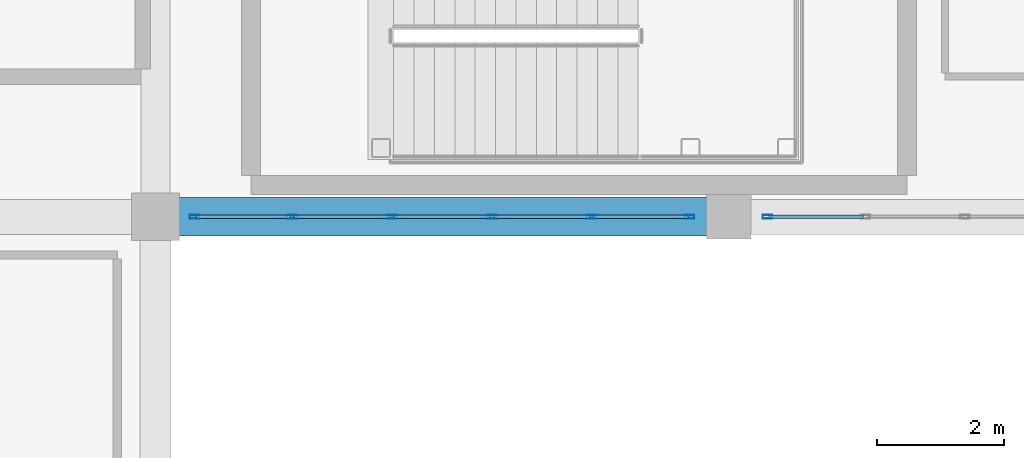
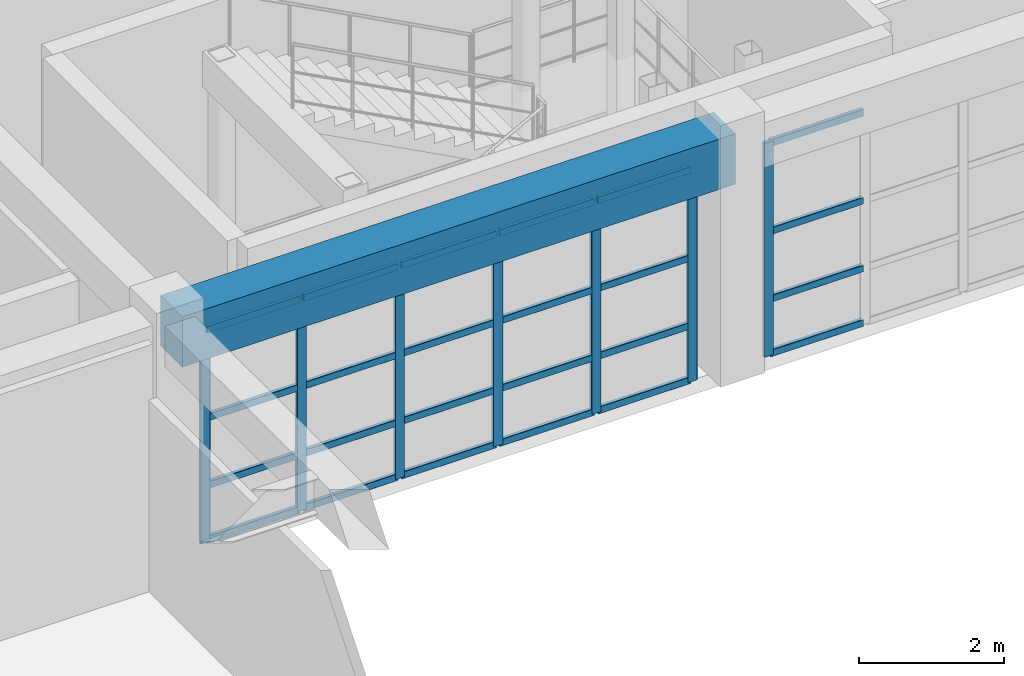
# One storey, part 75 of 133: 31 members, 1 beam, 2 elements without a shape of their own.
"""IFC4 building model written with IfcOpenShell, lengths in metres."""

from ifc_helpers import new_model, si_unit, direction, frame, origin, origin_2d, place, context, subcontext, project, spatial, rectangle, hollow_rectangle, extrude, material, material_profile, profile_set, type_object, element, aggregate, save


model = new_model("IFC4")

# Units and contexts
model_context = context("Model", 3, precision=1e-05, world=origin(), true_north=direction((0.0, 1.0)))
body_context = subcontext(model_context, "Body", "Model", "MODEL_VIEW")
ifc_project = project(units=[si_unit("LENGTHUNIT", "METRE"), si_unit("AREAUNIT", "SQUARE_METRE"), si_unit("VOLUMEUNIT", "CUBIC_METRE"), si_unit("PLANEANGLEUNIT", "RADIAN"), si_unit("MASSUNIT", "GRAM", prefix="KILO")], contexts=[model_context])

# Site, building, storey
site_placement = place(None, origin())
site = spatial("IfcSite", under=ifc_project, at=site_placement, CompositionType="ELEMENT")
building_placement = place(site_placement, origin())
building = spatial("IfcBuilding", under=site, at=building_placement, Name="Miravela Opera House", CompositionType="ELEMENT")
storey_placement = place(building_placement, frame((0.0, 0.0, 5.10009765625)))
storey = spatial("IfcBuildingStorey", under=building, at=storey_placement, Name="L01", CompositionType="ELEMENT", Elevation=5.10009765625)

# Curtain wall, members
ifc_material_1 = material(Name="Anodised architectural bronze aluminium 6063-T6", Category="aluminium")
curtain_wall_type = type_object("IfcCurtainWallType", Name="ARC-CW-05", PredefinedType="NOTDEFINED", material=ifc_material_1)
curtain_wall_1_placement = place(storey_placement, origin())
curtain_wall_1 = element("IfcCurtainWall", 1, at=curtain_wall_1_placement, inside=storey, type_object=curtain_wall_type, Name="Courtyard Arcade Curtain Wall CW-L01-169", PredefinedType="NOTDEFINED")
ifc_material_profile_1 = material_profile(ifc_material_1, hollow_rectangle(XDim=0.06005859375, YDim=0.14990234375, WallThickness=0.00390625, InnerFilletRadius=0.001953125, OuterFilletRadius=0.00390625, at=origin_2d()), Name="CWM-60X150")
ifc_profile_set_1 = profile_set([ifc_material_profile_1])
member_type_1 = type_object("IfcMemberType", Name="ARC-CWM-150", PredefinedType="MULLION", material=ifc_profile_set_1)
member_1_placement = place(storey_placement, frame((117.610107421875, 103.0, 0.0), z_axis=(0.0, 0.0, 1.0), x_axis=(0.0, 1.0, 0.0)))
member_1 = element("IfcMember", 2, at=member_1_placement, type_object=member_type_1, Name="CW-05 mullion 1", PredefinedType="MULLION", context=body_context, shape_type="SweptSolid", body=[
    extrude(hollow_rectangle(XDim=0.06005859375, YDim=0.14990234375, WallThickness=0.00390625, InnerFilletRadius=0.001953125, OuterFilletRadius=0.00390625, at=origin_2d()), origin(), (0.0, 0.0, 1.0), 3.60986328125),
])
member_2_placement = place(storey_placement, frame((119.14794921875, 103.0, 0.0), z_axis=(0.0, 0.0, 1.0), x_axis=(0.0, 1.0, 0.0)))
member_2 = element("IfcMember", 3, at=member_2_placement, type_object=member_type_1, Name="CW-05 mullion 2", PredefinedType="MULLION", context=body_context, shape_type="SweptSolid", body=[
    extrude(hollow_rectangle(XDim=0.06005859375, YDim=0.14990234375, WallThickness=0.00390625, InnerFilletRadius=0.001953125, OuterFilletRadius=0.00390625, at=origin_2d()), origin(), (0.0, 0.0, 1.0), 3.60986328125),
])
member_3_placement = place(storey_placement, frame((120.716064453125, 103.0, 0.0), z_axis=(0.0, 0.0, 1.0), x_axis=(0.0, 1.0, 0.0)))
member_3 = element("IfcMember", 4, at=member_3_placement, type_object=member_type_1, Name="CW-05 mullion 3", PredefinedType="MULLION", context=body_context, shape_type="SweptSolid", body=[
    extrude(hollow_rectangle(XDim=0.06005859375, YDim=0.14990234375, WallThickness=0.00390625, InnerFilletRadius=0.001953125, OuterFilletRadius=0.00390625, at=origin_2d()), origin(), (0.0, 0.0, 1.0), 3.60986328125),
])
member_4_placement = place(storey_placement, frame((122.283935546875, 103.0, 0.0), z_axis=(0.0, 0.0, 1.0), x_axis=(0.0, 1.0, 0.0)))
member_4 = element("IfcMember", 5, at=member_4_placement, type_object=member_type_1, Name="CW-05 mullion 4", PredefinedType="MULLION", context=body_context, shape_type="SweptSolid", body=[
    extrude(hollow_rectangle(XDim=0.06005859375, YDim=0.14990234375, WallThickness=0.00390625, InnerFilletRadius=0.001953125, OuterFilletRadius=0.00390625, at=origin_2d()), origin(), (0.0, 0.0, 1.0), 3.60986328125),
])
member_5_placement = place(storey_placement, frame((123.85205078125, 103.0, 0.0), z_axis=(0.0, 0.0, 1.0), x_axis=(0.0, 1.0, 0.0)))
member_5 = element("IfcMember", 6, at=member_5_placement, type_object=member_type_1, Name="CW-05 mullion 5", PredefinedType="MULLION", context=body_context, shape_type="SweptSolid", body=[
    extrude(hollow_rectangle(XDim=0.06005859375, YDim=0.14990234375, WallThickness=0.00390625, InnerFilletRadius=0.001953125, OuterFilletRadius=0.00390625, at=origin_2d()), origin(), (0.0, 0.0, 1.0), 3.60986328125),
])
member_6_placement = place(storey_placement, frame((125.389892578125, 103.0, 0.0), z_axis=(0.0, 0.0, 1.0), x_axis=(0.0, 1.0, 0.0)))
member_6 = element("IfcMember", 7, at=member_6_placement, type_object=member_type_1, Name="CW-05 mullion 6", PredefinedType="MULLION", context=body_context, shape_type="SweptSolid", body=[
    extrude(hollow_rectangle(XDim=0.06005859375, YDim=0.14990234375, WallThickness=0.00390625, InnerFilletRadius=0.001953125, OuterFilletRadius=0.00390625, at=origin_2d()), origin(), (0.0, 0.0, 1.0), 3.60986328125),
])

# Curtain wall, member
curtain_wall_2_placement = place(storey_placement, origin())
curtain_wall_2 = element("IfcCurtainWall", 8, at=curtain_wall_2_placement, inside=storey, type_object=curtain_wall_type, Name="Courtyard Arcade Curtain Wall CW-L01-173", PredefinedType="NOTDEFINED")
member_7_placement = place(storey_placement, frame((126.610107421875, 103.0, 0.0), z_axis=(0.0, 0.0, 1.0), x_axis=(0.0, 1.0, 0.0)))
member_7 = element("IfcMember", 9, at=member_7_placement, type_object=member_type_1, Name="CW-05 mullion 1", PredefinedType="MULLION", context=body_context, shape_type="SweptSolid", body=[
    extrude(hollow_rectangle(XDim=0.06005859375, YDim=0.14990234375, WallThickness=0.00390625, InnerFilletRadius=0.001953125, OuterFilletRadius=0.00390625, at=origin_2d()), origin(), (0.0, 0.0, 1.0), 3.60986328125),
])

# Member
ifc_material_profile_2 = material_profile(ifc_material_1, hollow_rectangle(XDim=0.06005859375, YDim=0.114990234375, WallThickness=0.00390625, InnerFilletRadius=0.001953125, OuterFilletRadius=0.00390625, at=origin_2d()), Name="CWT-60X115")
ifc_profile_set_2 = profile_set([ifc_material_profile_2])
member_type_2 = type_object("IfcMemberType", Name="ARC-CWT-115", PredefinedType="USERDEFINED", material=ifc_profile_set_2)
member_8_placement = place(storey_placement, frame((117.639892578125, 103.0, 0.02978515625), z_axis=(1.0, 0.0, 0.0), x_axis=(0.0, 1.0, 0.0)))
member_8 = element("IfcMember", 10, at=member_8_placement, type_object=member_type_2, Name="CW-05 transom 1.1", ObjectType="TRANSOM", PredefinedType="USERDEFINED", context=body_context, shape_type="SweptSolid", body=[
    extrude(hollow_rectangle(XDim=0.06005859375, YDim=0.114990234375, WallThickness=0.00390625, InnerFilletRadius=0.001953125, OuterFilletRadius=0.00390625, at=origin_2d()), origin(), (0.0, 0.0, 1.0), 1.47802734375),
])

member_9_placement = place(storey_placement, frame((117.639892578125, 103.0, 0.949951171875), z_axis=(1.0, 0.0, 0.0), x_axis=(0.0, 1.0, 0.0)))
member_9 = element("IfcMember", 11, at=member_9_placement, type_object=member_type_2, Name="CW-05 transom 1.2", ObjectType="TRANSOM", PredefinedType="USERDEFINED", context=body_context, shape_type="SweptSolid", body=[
    extrude(hollow_rectangle(XDim=0.06005859375, YDim=0.114990234375, WallThickness=0.00390625, InnerFilletRadius=0.001953125, OuterFilletRadius=0.00390625, at=origin_2d()), origin(), (0.0, 0.0, 1.0), 1.47802734375),
])

member_10_placement = place(storey_placement, frame((117.639892578125, 103.0, 2.09375), z_axis=(1.0, 0.0, 0.0), x_axis=(0.0, 1.0, 0.0)))
member_10 = element("IfcMember", 12, at=member_10_placement, type_object=member_type_2, Name="CW-05 transom 1.3", ObjectType="TRANSOM", PredefinedType="USERDEFINED", context=body_context, shape_type="SweptSolid", body=[
    extrude(hollow_rectangle(XDim=0.06005859375, YDim=0.114990234375, WallThickness=0.00390625, InnerFilletRadius=0.001953125, OuterFilletRadius=0.00390625, at=origin_2d()), origin(), (0.0, 0.0, 1.0), 1.47802734375),
])

member_11_placement = place(storey_placement, frame((117.639892578125, 103.0, 3.579833984375), z_axis=(1.0, 0.0, 0.0), x_axis=(0.0, 1.0, 0.0)))
member_11 = element("IfcMember", 13, at=member_11_placement, type_object=member_type_2, Name="CW-05 transom 1.4", ObjectType="TRANSOM", PredefinedType="USERDEFINED", context=body_context, shape_type="SweptSolid", body=[
    extrude(hollow_rectangle(XDim=0.06005859375, YDim=0.114990234375, WallThickness=0.00390625, InnerFilletRadius=0.001953125, OuterFilletRadius=0.00390625, at=origin_2d()), origin(), (0.0, 0.0, 1.0), 1.47802734375),
])

member_12_placement = place(storey_placement, frame((119.177978515625, 103.0, 0.02978515625), z_axis=(1.0, 0.0, 0.0), x_axis=(0.0, 1.0, 0.0)))
member_12 = element("IfcMember", 14, at=member_12_placement, type_object=member_type_2, Name="CW-05 transom 2.1", ObjectType="TRANSOM", PredefinedType="USERDEFINED", context=body_context, shape_type="SweptSolid", body=[
    extrude(hollow_rectangle(XDim=0.06005859375, YDim=0.114990234375, WallThickness=0.00390625, InnerFilletRadius=0.001953125, OuterFilletRadius=0.00390625, at=origin_2d()), origin(), (0.0, 0.0, 1.0), 1.508056640625),
])

member_13_placement = place(storey_placement, frame((119.177978515625, 103.0, 0.949951171875), z_axis=(1.0, 0.0, 0.0), x_axis=(0.0, 1.0, 0.0)))
member_13 = element("IfcMember", 15, at=member_13_placement, type_object=member_type_2, Name="CW-05 transom 2.2", ObjectType="TRANSOM", PredefinedType="USERDEFINED", context=body_context, shape_type="SweptSolid", body=[
    extrude(hollow_rectangle(XDim=0.06005859375, YDim=0.114990234375, WallThickness=0.00390625, InnerFilletRadius=0.001953125, OuterFilletRadius=0.00390625, at=origin_2d()), origin(), (0.0, 0.0, 1.0), 1.508056640625),
])

member_14_placement = place(storey_placement, frame((119.177978515625, 103.0, 2.09375), z_axis=(1.0, 0.0, 0.0), x_axis=(0.0, 1.0, 0.0)))
member_14 = element("IfcMember", 16, at=member_14_placement, type_object=member_type_2, Name="CW-05 transom 2.3", ObjectType="TRANSOM", PredefinedType="USERDEFINED", context=body_context, shape_type="SweptSolid", body=[
    extrude(hollow_rectangle(XDim=0.06005859375, YDim=0.114990234375, WallThickness=0.00390625, InnerFilletRadius=0.001953125, OuterFilletRadius=0.00390625, at=origin_2d()), origin(), (0.0, 0.0, 1.0), 1.508056640625),
])

member_15_placement = place(storey_placement, frame((119.177978515625, 103.0, 3.579833984375), z_axis=(1.0, 0.0, 0.0), x_axis=(0.0, 1.0, 0.0)))
member_15 = element("IfcMember", 17, at=member_15_placement, type_object=member_type_2, Name="CW-05 transom 2.4", ObjectType="TRANSOM", PredefinedType="USERDEFINED", context=body_context, shape_type="SweptSolid", body=[
    extrude(hollow_rectangle(XDim=0.06005859375, YDim=0.114990234375, WallThickness=0.00390625, InnerFilletRadius=0.001953125, OuterFilletRadius=0.00390625, at=origin_2d()), origin(), (0.0, 0.0, 1.0), 1.508056640625),
])

member_16_placement = place(storey_placement, frame((120.74609375, 103.0, 0.02978515625), z_axis=(1.0, 0.0, 0.0), x_axis=(0.0, 1.0, 0.0)))
member_16 = element("IfcMember", 18, at=member_16_placement, type_object=member_type_2, Name="CW-05 transom 3.1", ObjectType="TRANSOM", PredefinedType="USERDEFINED", context=body_context, shape_type="SweptSolid", body=[
    extrude(hollow_rectangle(XDim=0.06005859375, YDim=0.114990234375, WallThickness=0.00390625, InnerFilletRadius=0.001953125, OuterFilletRadius=0.00390625, at=origin_2d()), origin(), (0.0, 0.0, 1.0), 1.5078125),
])

member_17_placement = place(storey_placement, frame((120.74609375, 103.0, 0.949951171875), z_axis=(1.0, 0.0, 0.0), x_axis=(0.0, 1.0, 0.0)))
member_17 = element("IfcMember", 19, at=member_17_placement, type_object=member_type_2, Name="CW-05 transom 3.2", ObjectType="TRANSOM", PredefinedType="USERDEFINED", context=body_context, shape_type="SweptSolid", body=[
    extrude(hollow_rectangle(XDim=0.06005859375, YDim=0.114990234375, WallThickness=0.00390625, InnerFilletRadius=0.001953125, OuterFilletRadius=0.00390625, at=origin_2d()), origin(), (0.0, 0.0, 1.0), 1.5078125),
])

member_18_placement = place(storey_placement, frame((120.74609375, 103.0, 2.09375), z_axis=(1.0, 0.0, 0.0), x_axis=(0.0, 1.0, 0.0)))
member_18 = element("IfcMember", 20, at=member_18_placement, type_object=member_type_2, Name="CW-05 transom 3.3", ObjectType="TRANSOM", PredefinedType="USERDEFINED", context=body_context, shape_type="SweptSolid", body=[
    extrude(hollow_rectangle(XDim=0.06005859375, YDim=0.114990234375, WallThickness=0.00390625, InnerFilletRadius=0.001953125, OuterFilletRadius=0.00390625, at=origin_2d()), origin(), (0.0, 0.0, 1.0), 1.5078125),
])

member_19_placement = place(storey_placement, frame((120.74609375, 103.0, 3.579833984375), z_axis=(1.0, 0.0, 0.0), x_axis=(0.0, 1.0, 0.0)))
member_19 = element("IfcMember", 21, at=member_19_placement, type_object=member_type_2, Name="CW-05 transom 3.4", ObjectType="TRANSOM", PredefinedType="USERDEFINED", context=body_context, shape_type="SweptSolid", body=[
    extrude(hollow_rectangle(XDim=0.06005859375, YDim=0.114990234375, WallThickness=0.00390625, InnerFilletRadius=0.001953125, OuterFilletRadius=0.00390625, at=origin_2d()), origin(), (0.0, 0.0, 1.0), 1.5078125),
])

member_20_placement = place(storey_placement, frame((122.31396484375, 103.0, 0.02978515625), z_axis=(1.0, 0.0, 0.0), x_axis=(0.0, 1.0, 0.0)))
member_20 = element("IfcMember", 22, at=member_20_placement, type_object=member_type_2, Name="CW-05 transom 4.1", ObjectType="TRANSOM", PredefinedType="USERDEFINED", context=body_context, shape_type="SweptSolid", body=[
    extrude(hollow_rectangle(XDim=0.06005859375, YDim=0.114990234375, WallThickness=0.00390625, InnerFilletRadius=0.001953125, OuterFilletRadius=0.00390625, at=origin_2d()), origin(), (0.0, 0.0, 1.0), 1.508056640625),
])

member_21_placement = place(storey_placement, frame((122.31396484375, 103.0, 0.949951171875), z_axis=(1.0, 0.0, 0.0), x_axis=(0.0, 1.0, 0.0)))
member_21 = element("IfcMember", 23, at=member_21_placement, type_object=member_type_2, Name="CW-05 transom 4.2", ObjectType="TRANSOM", PredefinedType="USERDEFINED", context=body_context, shape_type="SweptSolid", body=[
    extrude(hollow_rectangle(XDim=0.06005859375, YDim=0.114990234375, WallThickness=0.00390625, InnerFilletRadius=0.001953125, OuterFilletRadius=0.00390625, at=origin_2d()), origin(), (0.0, 0.0, 1.0), 1.508056640625),
])

member_22_placement = place(storey_placement, frame((122.31396484375, 103.0, 2.09375), z_axis=(1.0, 0.0, 0.0), x_axis=(0.0, 1.0, 0.0)))
member_22 = element("IfcMember", 24, at=member_22_placement, type_object=member_type_2, Name="CW-05 transom 4.3", ObjectType="TRANSOM", PredefinedType="USERDEFINED", context=body_context, shape_type="SweptSolid", body=[
    extrude(hollow_rectangle(XDim=0.06005859375, YDim=0.114990234375, WallThickness=0.00390625, InnerFilletRadius=0.001953125, OuterFilletRadius=0.00390625, at=origin_2d()), origin(), (0.0, 0.0, 1.0), 1.508056640625),
])

member_23_placement = place(storey_placement, frame((122.31396484375, 103.0, 3.579833984375), z_axis=(1.0, 0.0, 0.0), x_axis=(0.0, 1.0, 0.0)))
member_23 = element("IfcMember", 25, at=member_23_placement, type_object=member_type_2, Name="CW-05 transom 4.4", ObjectType="TRANSOM", PredefinedType="USERDEFINED", context=body_context, shape_type="SweptSolid", body=[
    extrude(hollow_rectangle(XDim=0.06005859375, YDim=0.114990234375, WallThickness=0.00390625, InnerFilletRadius=0.001953125, OuterFilletRadius=0.00390625, at=origin_2d()), origin(), (0.0, 0.0, 1.0), 1.508056640625),
])

member_24_placement = place(storey_placement, frame((123.882080078125, 103.0, 0.02978515625), z_axis=(1.0, 0.0, 0.0), x_axis=(0.0, 1.0, 0.0)))
member_24 = element("IfcMember", 26, at=member_24_placement, type_object=member_type_2, Name="CW-05 transom 5.1", ObjectType="TRANSOM", PredefinedType="USERDEFINED", context=body_context, shape_type="SweptSolid", body=[
    extrude(hollow_rectangle(XDim=0.06005859375, YDim=0.114990234375, WallThickness=0.00390625, InnerFilletRadius=0.001953125, OuterFilletRadius=0.00390625, at=origin_2d()), origin(), (0.0, 0.0, 1.0), 1.47802734375),
])

member_25_placement = place(storey_placement, frame((123.882080078125, 103.0, 0.949951171875), z_axis=(1.0, 0.0, 0.0), x_axis=(0.0, 1.0, 0.0)))
member_25 = element("IfcMember", 27, at=member_25_placement, type_object=member_type_2, Name="CW-05 transom 5.2", ObjectType="TRANSOM", PredefinedType="USERDEFINED", context=body_context, shape_type="SweptSolid", body=[
    extrude(hollow_rectangle(XDim=0.06005859375, YDim=0.114990234375, WallThickness=0.00390625, InnerFilletRadius=0.001953125, OuterFilletRadius=0.00390625, at=origin_2d()), origin(), (0.0, 0.0, 1.0), 1.47802734375),
])

member_26_placement = place(storey_placement, frame((123.882080078125, 103.0, 2.09375), z_axis=(1.0, 0.0, 0.0), x_axis=(0.0, 1.0, 0.0)))
member_26 = element("IfcMember", 28, at=member_26_placement, type_object=member_type_2, Name="CW-05 transom 5.3", ObjectType="TRANSOM", PredefinedType="USERDEFINED", context=body_context, shape_type="SweptSolid", body=[
    extrude(hollow_rectangle(XDim=0.06005859375, YDim=0.114990234375, WallThickness=0.00390625, InnerFilletRadius=0.001953125, OuterFilletRadius=0.00390625, at=origin_2d()), origin(), (0.0, 0.0, 1.0), 1.47802734375),
])

member_27_placement = place(storey_placement, frame((123.882080078125, 103.0, 3.579833984375), z_axis=(1.0, 0.0, 0.0), x_axis=(0.0, 1.0, 0.0)))
member_27 = element("IfcMember", 29, at=member_27_placement, type_object=member_type_2, Name="CW-05 transom 5.4", ObjectType="TRANSOM", PredefinedType="USERDEFINED", context=body_context, shape_type="SweptSolid", body=[
    extrude(hollow_rectangle(XDim=0.06005859375, YDim=0.114990234375, WallThickness=0.00390625, InnerFilletRadius=0.001953125, OuterFilletRadius=0.00390625, at=origin_2d()), origin(), (0.0, 0.0, 1.0), 1.47802734375),
])

aggregate(curtain_wall_1, [member_1, member_2, member_3, member_4, member_5, member_6, member_8, member_9, member_10, member_11, member_12, member_13, member_14, member_15, member_16, member_17, member_18, member_19, member_20, member_21, member_22, member_23, member_24, member_25, member_26, member_27])

member_28_placement = place(storey_placement, frame((126.639892578125, 103.0, 0.02978515625), z_axis=(1.0, 0.0, 0.0), x_axis=(0.0, 1.0, 0.0)))
member_28 = element("IfcMember", 30, at=member_28_placement, type_object=member_type_2, Name="CW-05 transom 1.1", ObjectType="TRANSOM", PredefinedType="USERDEFINED", context=body_context, shape_type="SweptSolid", body=[
    extrude(hollow_rectangle(XDim=0.06005859375, YDim=0.114990234375, WallThickness=0.00390625, InnerFilletRadius=0.001953125, OuterFilletRadius=0.00390625, at=origin_2d()), origin(), (0.0, 0.0, 1.0), 1.47802734375),
])

member_29_placement = place(storey_placement, frame((126.639892578125, 103.0, 0.949951171875), z_axis=(1.0, 0.0, 0.0), x_axis=(0.0, 1.0, 0.0)))
member_29 = element("IfcMember", 31, at=member_29_placement, type_object=member_type_2, Name="CW-05 transom 1.2", ObjectType="TRANSOM", PredefinedType="USERDEFINED", context=body_context, shape_type="SweptSolid", body=[
    extrude(hollow_rectangle(XDim=0.06005859375, YDim=0.114990234375, WallThickness=0.00390625, InnerFilletRadius=0.001953125, OuterFilletRadius=0.00390625, at=origin_2d()), origin(), (0.0, 0.0, 1.0), 1.47802734375),
])

member_30_placement = place(storey_placement, frame((126.639892578125, 103.0, 2.09375), z_axis=(1.0, 0.0, 0.0), x_axis=(0.0, 1.0, 0.0)))
member_30 = element("IfcMember", 32, at=member_30_placement, type_object=member_type_2, Name="CW-05 transom 1.3", ObjectType="TRANSOM", PredefinedType="USERDEFINED", context=body_context, shape_type="SweptSolid", body=[
    extrude(hollow_rectangle(XDim=0.06005859375, YDim=0.114990234375, WallThickness=0.00390625, InnerFilletRadius=0.001953125, OuterFilletRadius=0.00390625, at=origin_2d()), origin(), (0.0, 0.0, 1.0), 1.47802734375),
])

member_31_placement = place(storey_placement, frame((126.639892578125, 103.0, 3.579833984375), z_axis=(1.0, 0.0, 0.0), x_axis=(0.0, 1.0, 0.0)))
member_31 = element("IfcMember", 33, at=member_31_placement, type_object=member_type_2, Name="CW-05 transom 1.4", ObjectType="TRANSOM", PredefinedType="USERDEFINED", context=body_context, shape_type="SweptSolid", body=[
    extrude(hollow_rectangle(XDim=0.06005859375, YDim=0.114990234375, WallThickness=0.00390625, InnerFilletRadius=0.001953125, OuterFilletRadius=0.00390625, at=origin_2d()), origin(), (0.0, 0.0, 1.0), 1.47802734375),
])

aggregate(curtain_wall_2, [member_7, member_28, member_29, member_30, member_31])

# Beam
ifc_material_2 = material(Name="Concrete C40/50", Category="concrete")
ifc_material_profile_3 = material_profile(ifc_material_2, rectangle(XDim=0.60009765625, YDim=0.85009765625, at=origin_2d()), Name="RC-BM-600X850")
ifc_profile_set_3 = profile_set([ifc_material_profile_3])
beam_type = type_object("IfcBeamType", Name="STR-BM-RC600X850", PredefinedType="BEAM", material=ifc_profile_set_3)
beam_placement = place(storey_placement, frame((117.080078125, 103.0, 3.73486328125), z_axis=(1.0, 0.0, 0.0), x_axis=(0.0, 1.0, 0.0)))
element("IfcBeam", 34, at=beam_placement, inside=storey, type_object=beam_type, Name="Floor Girder L01 14-15/L", PredefinedType="BEAM", context=body_context, shape_type="SweptSolid", body=[
    extrude(rectangle(XDim=0.60009765625, YDim=0.85009765625, at=origin_2d()), origin(), (0.0, 0.0, 1.0), 8.83984375),
])

save(model, "model.ifc")
